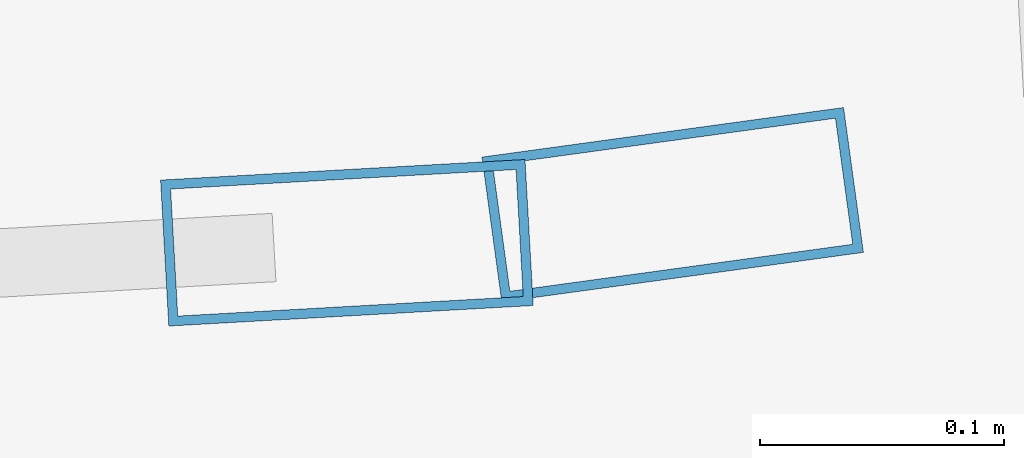
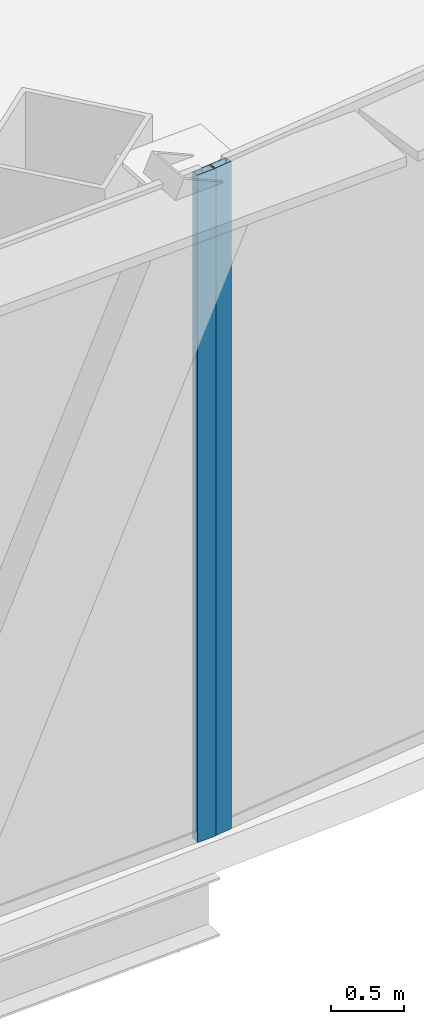
# One storey, part 14 of 40: 2 members, 2 elements without a shape of their own.
"""IFC4 building model written with IfcOpenShell, lengths in metres."""

from ifc_helpers import new_model, si_unit, direction, frame, origin, origin_2d, place, context, subcontext, project, spatial, hollow_rectangle, extrude, source, transform, mapped, material, layer, layer_set, material_profile, profile_set, type_object, element, aggregate, save


model = new_model("IFC4")

# Units and contexts
model_context = context("Model", 3, precision=1e-05, world=origin(), true_north=direction((0.0, 1.0)))
body_context = subcontext(model_context, "Body", "Model", "MODEL_VIEW")
ifc_project = project(units=[si_unit("LENGTHUNIT", "METRE"), si_unit("AREAUNIT", "SQUARE_METRE"), si_unit("VOLUMEUNIT", "CUBIC_METRE"), si_unit("PLANEANGLEUNIT", "RADIAN"), si_unit("MASSUNIT", "GRAM", prefix="KILO"), si_unit("THERMODYNAMICTEMPERATUREUNIT", "KELVIN"), si_unit("POWERUNIT", "WATT")], contexts=[model_context])

# Site, building, storey
site_placement = place(None, origin())
site = spatial("IfcSite", under=ifc_project, at=site_placement, CompositionType="ELEMENT")
building_placement = place(site_placement, origin())
building = spatial("IfcBuilding", under=site, at=building_placement, Name="Yunzhuo Pagoda Commons", CompositionType="ELEMENT")
storey_placement = place(building_placement, frame((0.0, 0.0, 170.31005859375)))
storey = spatial("IfcBuildingStorey", under=building, at=storey_placement, Name="L43", CompositionType="ELEMENT", Elevation=170.31005859375)

# Curtain wall, member
ifc_material = material(Name="Anodized aluminium 6063-T6", Category="aluminium")
ifc_layer = layer(ifc_material, 0.14990234375)
ifc_layer_set = layer_set([ifc_layer], Name="Anodized aluminium 6063-T6")
curtain_wall_type = type_object("IfcCurtainWallType", Name="CW-MID Mid-Zone Ribbon Curtain Wall", PredefinedType="NOTDEFINED", material=ifc_layer_set)
curtain_wall_1_placement = place(storey_placement, origin())
curtain_wall_1 = element("IfcCurtainWall", 1, at=curtain_wall_1_placement, inside=storey, type_object=curtain_wall_type, Name="L43 curtain wall CW-L43-F1B4", PredefinedType="NOTDEFINED")
ifc_material_profile = material_profile(ifc_material, hollow_rectangle(XDim=0.06005859375, YDim=0.14990234375, WallThickness=0.00390625, at=origin_2d()), Name="Anodized aluminium 6063-T6")
ifc_profile_set = profile_set([ifc_material_profile], Name="Anodized aluminium 6063-T6")
member_type = type_object("IfcMemberType", Name="CW-MID-M Mullion RHS 150x60x4", PredefinedType="MULLION", material=ifc_profile_set)
shared_shape = source(origin(), body_context, "Body", "SweptSolid", [
    extrude(hollow_rectangle(XDim=0.06005859375, YDim=0.14990234375, WallThickness=0.00390625, at=origin_2d()), origin(), (0.0, 0.0, 1.0), 5.56982421875),
])
member_1_placement = place(storey_placement, frame((64.230224609375, 14.320556640625, 0.0), z_axis=(0.0, 0.0, 1.0), x_axis=(-0.056298716731, 0.998413969501, 0.0)))
member_1 = element("IfcMember", 2, at=member_1_placement, type_object=member_type, Name="CW mullion 2", PredefinedType="MULLION", context=body_context, shape_type="MappedRepresentation", body=[
    mapped(shared_shape, transform((0.0, 0.0, 0.0), scale=1.0)),
])
aggregate(curtain_wall_1, [member_1])

curtain_wall_2_placement = place(storey_placement, origin())
curtain_wall_2 = element("IfcCurtainWall", 3, at=curtain_wall_2_placement, inside=storey, type_object=curtain_wall_type, Name="L43 curtain wall CW-L43-F1B5", PredefinedType="NOTDEFINED")
member_2_placement = place(storey_placement, frame((64.364013671875, 14.336181640625, 0.0), z_axis=(0.0, 0.0, 1.0), x_axis=(-0.135767265879, 0.990740757976, 0.0)))
member_2 = element("IfcMember", 4, at=member_2_placement, type_object=member_type, Name="CW mullion 1", PredefinedType="MULLION", context=body_context, shape_type="MappedRepresentation", body=[
    mapped(shared_shape, transform((0.0, 0.0, 0.0), scale=1.0)),
])
aggregate(curtain_wall_2, [member_2])

save(model, "model.ifc")
